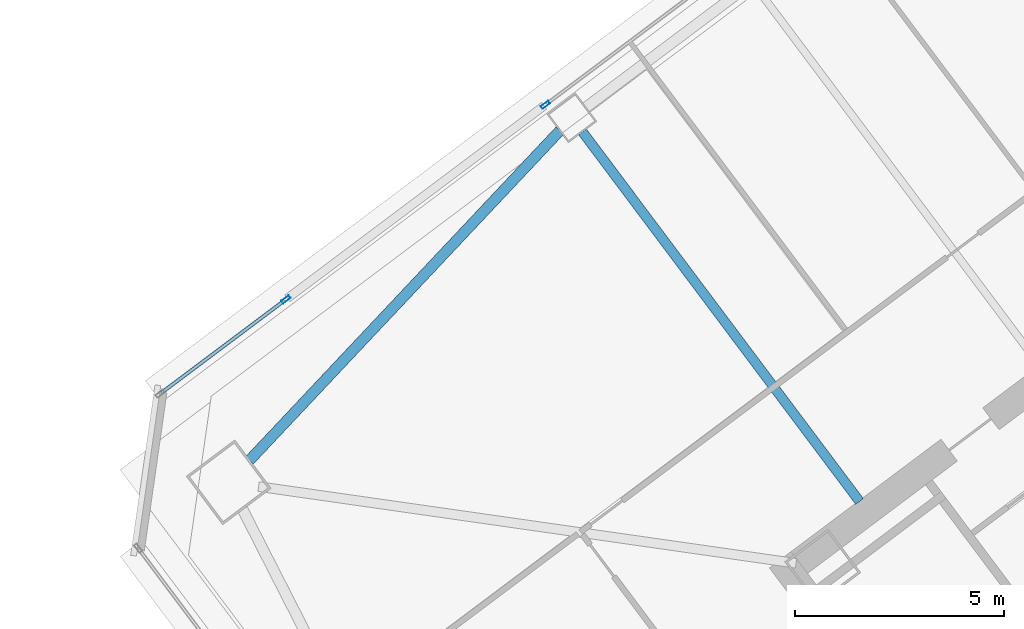
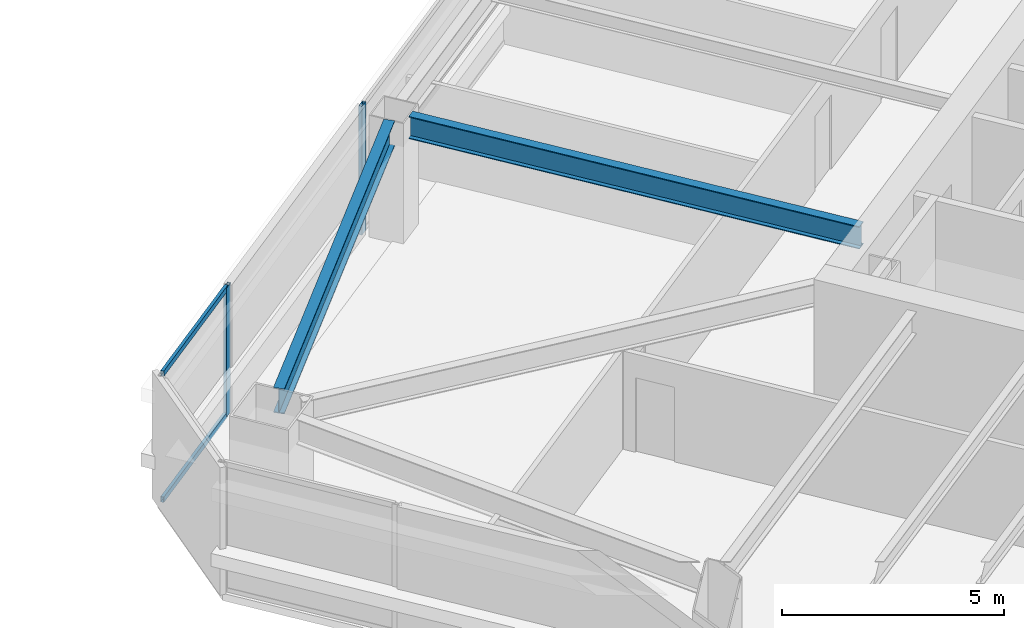
# One storey, part 25 of 44: 4 members, 2 beams, 2 elements without a shape of their own.
"""IFC4 building model written with IfcOpenShell, lengths in metres."""

from ifc_helpers import new_model, si_unit, direction, frame, origin, origin_2d, place, context, subcontext, project, spatial, hollow_rectangle, i_section, extrude, material, material_profile, profile_set, type_object, element, aggregate, save


model = new_model("IFC4")

# Units and contexts
model_context = context("Model", 3, precision=1e-05, world=origin(), true_north=direction((0.0, 1.0)))
body_context = subcontext(model_context, "Body", "Model", "MODEL_VIEW")
ifc_project = project(units=[si_unit("LENGTHUNIT", "METRE"), si_unit("AREAUNIT", "SQUARE_METRE"), si_unit("VOLUMEUNIT", "CUBIC_METRE"), si_unit("PLANEANGLEUNIT", "RADIAN"), si_unit("MASSUNIT", "GRAM", prefix="KILO")], contexts=[model_context])

# Site, building, storey
site_placement = place(None, origin())
site = spatial("IfcSite", under=ifc_project, at=site_placement, CompositionType="ELEMENT")
building_placement = place(site_placement, origin())
building = spatial("IfcBuilding", under=site, at=building_placement, Name="Tashvorn Skyway Center", CompositionType="ELEMENT")
storey_placement = place(building_placement, frame((0.0, 0.0, 84.949951171875)))
storey = spatial("IfcBuildingStorey", under=building, at=storey_placement, Name="L22", CompositionType="ELEMENT", Elevation=84.949951171875)

# Beams
ifc_material_1 = material(Name="Steel ASTM A992 Grade 50", Category="steel")
ifc_material_profile_1 = material_profile(ifc_material_1, i_section(OverallWidth=0.22998046875, OverallDepth=0.616943359375, WebThickness=0.01318359375, FlangeThickness=0.022216796875, at=origin_2d()), Name="W24X94")
ifc_profile_set_1 = profile_set([ifc_material_profile_1], Name="Steel ASTM A992 Grade 50")
beam_type_1 = type_object("IfcBeamType", Name="BM-BEAM-W24X94", PredefinedType="BEAM", material=ifc_profile_set_1)
beam_1_placement = place(storey_placement, frame((98.382080078125, 43.823974609375, 3.04150390625), z_axis=(0.599989394744, -0.800007953832, 0.0), x_axis=(0.800007953832, 0.599989394744, 0.0)))
element("IfcBeam", 1, at=beam_1_placement, inside=storey, type_object=beam_type_1, Name="Tower 2 L22 Primary Floor Girder FC-N2", PredefinedType="BEAM", context=body_context, shape_type="SweptSolid", body=[
    extrude(i_section(OverallWidth=0.22998046875, OverallDepth=0.616943359375, WebThickness=0.01318359375, FlangeThickness=0.022216796875, at=origin_2d()), origin(), (0.0, 0.0, 1.0), 11.050048828125),
])
ifc_material_profile_2 = material_profile(ifc_material_1, i_section(OverallWidth=0.256103515625, OverallDepth=0.693115234375, WebThickness=0.014404296875, FlangeThickness=0.023681640625, at=origin_2d()), Name="W27X114")
ifc_profile_set_2 = profile_set([ifc_material_profile_2], Name="Steel ASTM A992 Grade 50")
beam_type_2 = type_object("IfcBeamType", Name="BM-SPANDREL-W27X114", PredefinedType="SPANDREL", material=ifc_profile_set_2)
beam_2_placement = place(storey_placement, frame((97.842041015625, 43.854248046875, 3.003662109375), z_axis=(-0.685484857238, -0.728086883893, 0.0), x_axis=(0.728086883893, -0.685484857238, 0.0)))
element("IfcBeam", 2, at=beam_2_placement, inside=storey, type_object=beam_type_2, Name="Tower 2 L22 Spandrel Beam 09", PredefinedType="SPANDREL", context=body_context, shape_type="SweptSolid", body=[
    extrude(i_section(OverallWidth=0.256103515625, OverallDepth=0.693115234375, WebThickness=0.014404296875, FlangeThickness=0.023681640625, at=origin_2d()), origin(), (0.0, 0.0, 1.0), 10.8369140625),
])

# Curtain wall, member
ifc_material_2 = material(Name="Thermally broken bronze-anodized aluminium 6063-T6", Category="aluminium")
curtain_wall_type = type_object("IfcCurtainWallType", Name="CW-CW-Z2", PredefinedType="NOTDEFINED", material=ifc_material_2)
curtain_wall_1_placement = place(storey_placement, origin())
curtain_wall_1 = element("IfcCurtainWall", 3, at=curtain_wall_1_placement, inside=storey, type_object=curtain_wall_type, Name="Tower 2 L22 North Unitised Curtain Wall Glazing Group 1", PredefinedType="NOTDEFINED")
ifc_material_profile_3 = material_profile(ifc_material_2, hollow_rectangle(XDim=0.080078125, YDim=0.219970703125, WallThickness=0.0048828125, at=origin_2d()), Name="ALU-MULL-80x220")
ifc_profile_set_3 = profile_set([ifc_material_profile_3], Name="Thermally broken bronze-anodized aluminium 6063-T6")
member_type_1 = type_object("IfcMemberType", Name="CWM-CW-Z2", PredefinedType="MULLION", material=ifc_profile_set_3)
member_1_placement = place(storey_placement, frame((91.2880859375, 39.81591796875, 0.0), z_axis=(0.0, 0.0, 1.0), x_axis=(-0.600000000002, 0.799999999998, 0.0)))
member_1 = element("IfcMember", 4, at=member_1_placement, type_object=member_type_1, Name="CW-Z2 mullion 2", PredefinedType="MULLION", context=body_context, shape_type="SweptSolid", body=[
    extrude(hollow_rectangle(XDim=0.080078125, YDim=0.219970703125, WallThickness=0.0048828125, at=origin_2d()), origin(), (0.0, 0.0, 1.0), 3.550048828125),
])

curtain_wall_2_placement = place(storey_placement, origin())
curtain_wall_2 = element("IfcCurtainWall", 5, at=curtain_wall_2_placement, inside=storey, type_object=curtain_wall_type, Name="Tower 2 L22 North Unitised Curtain Wall Glazing Group 2", PredefinedType="NOTDEFINED")
member_2_placement = place(storey_placement, frame((97.49609375, 44.471923828125, 0.0), z_axis=(0.0, 0.0, 1.0), x_axis=(-0.600000000002, 0.799999999998, 0.0)))
member_2 = element("IfcMember", 6, at=member_2_placement, type_object=member_type_1, Name="CW-Z2 mullion 1", PredefinedType="MULLION", context=body_context, shape_type="SweptSolid", body=[
    extrude(hollow_rectangle(XDim=0.080078125, YDim=0.219970703125, WallThickness=0.0048828125, at=origin_2d()), origin(), (0.0, 0.0, 1.0), 3.550048828125),
])
aggregate(curtain_wall_2, [member_2])

# Member
ifc_material_profile_4 = material_profile(ifc_material_2, hollow_rectangle(XDim=0.080078125, YDim=0.14990234375, WallThickness=0.00439453125, at=origin_2d()), Name="ALU-TRAN-80x150")
ifc_profile_set_4 = profile_set([ifc_material_profile_4], Name="Thermally broken bronze-anodized aluminium 6063-T6")
member_type_2 = type_object("IfcMemberType", Name="CWT-CW-Z2", PredefinedType="USERDEFINED", material=ifc_profile_set_4)
member_3_placement = place(storey_placement, frame((88.31201171875, 37.583984375, 0.0400390625), z_axis=(0.800007960868, 0.599989385363, 0.0), x_axis=(-0.599989385363, 0.800007960868, 0.0)))
member_3 = element("IfcMember", 7, at=member_3_placement, type_object=member_type_2, Name="CW-Z2 transom 1.1", ObjectType="TRANSOM", PredefinedType="USERDEFINED", context=body_context, shape_type="SweptSolid", body=[
    extrude(hollow_rectangle(XDim=0.080078125, YDim=0.14990234375, WallThickness=0.00439453125, at=origin_2d()), origin(), (0.0, 0.0, 1.0), 3.68017578125),
])

member_4_placement = place(storey_placement, frame((88.31201171875, 37.583984375, 3.510009765625), z_axis=(0.800007960868, 0.599989385363, 0.0), x_axis=(-0.599989385363, 0.800007960868, 0.0)))
member_4 = element("IfcMember", 8, at=member_4_placement, type_object=member_type_2, Name="CW-Z2 transom 1.2", ObjectType="TRANSOM", PredefinedType="USERDEFINED", context=body_context, shape_type="SweptSolid", body=[
    extrude(hollow_rectangle(XDim=0.080078125, YDim=0.14990234375, WallThickness=0.00439453125, at=origin_2d()), origin(), (0.0, 0.0, 1.0), 3.68017578125),
])

aggregate(curtain_wall_1, [member_1, member_3, member_4])

save(model, "model.ifc")
